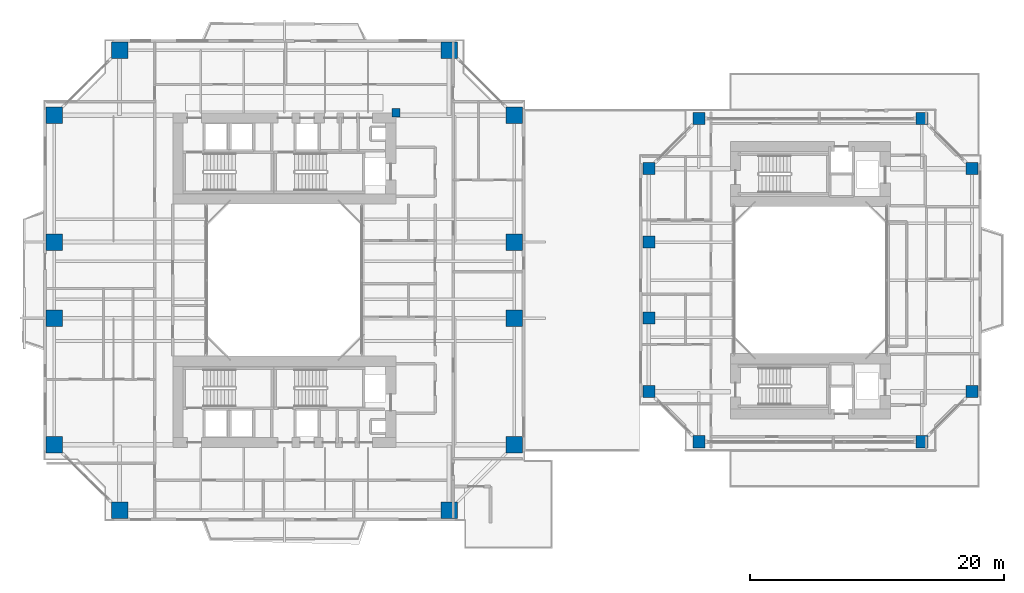
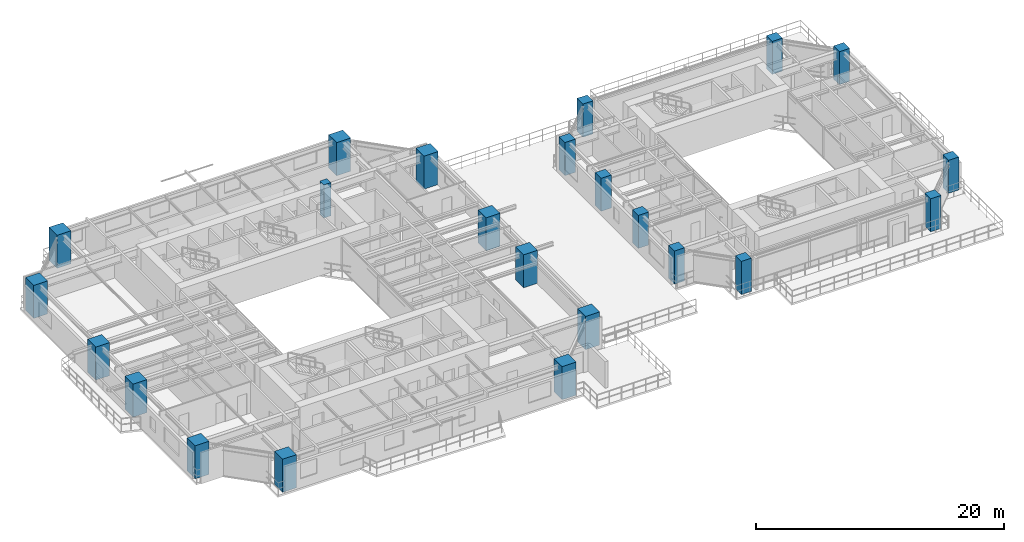
# One storey, part 1 of 22: 23 columns.
"""IFC4 building model written with IfcOpenShell, lengths in metres."""

import ifcopenshell
import ifcopenshell.guid

model = None  # the IFC model being written
_history = None  # IfcOwnerHistory: only IFC2X3 demands one
_inside = {}  # id of a spatial element -> (the spatial element, [elements in it])
_under = {}  # id of a project, library or spatial element -> (it, [spatial elements below it])
_declared = {}  # id of a project -> (the project, [libraries it declares])
_typed = {}  # id of a type object -> (the type object, [elements of that type])
_made_of = {}  # id of a material, layer set ... -> (it, [elements and type objects made of it])


def new_model(schema):
    """Start an empty IFC model of exactly this schema.

    Asked for "IFC4X3", IfcOpenShell would pick the latest addendum, in which some entities
    have other attributes; the version numbers below select the first issue.
    IFC2X3 requires an IfcOwnerHistory on every rooted entity: one is made here for all.
    """
    global model, _history
    if schema == "IFC4X3":
        model = ifcopenshell.file(schema_version=(4, 3, 0, 0))
    else:
        model = ifcopenshell.file(schema=schema)
    _inside.clear()
    _under.clear()
    _declared.clear()
    _typed.clear()
    _made_of.clear()
    _history = None
    if model.schema == "IFC2X3":
        org = make("IfcOrganization", Name="unknown")
        user = make(
            "IfcPersonAndOrganization",
            ThePerson=make("IfcPerson", FamilyName="unknown"),
            TheOrganization=org,
        )
        app = make(
            "IfcApplication",
            ApplicationDeveloper=org,
            Version="unknown",
            ApplicationFullName="unknown",
            ApplicationIdentifier="unknown",
        )
        _history = make(
            "IfcOwnerHistory",
            OwningUser=user,
            OwningApplication=app,
            ChangeAction="ADDED",
            CreationDate=0,
        )
    return model


def make(cls, **values):
    """One entity of the class cls with the attributes given. An attribute that is None is left unset."""
    return model.create_entity(
        cls, **{name: value for name, value in values.items() if value is not None}
    )


def rooted(cls, **values):
    """An entity with a GlobalId (a new one), such as an element, a storey or a relation."""
    return make(cls, GlobalId=ifcopenshell.guid.new(), OwnerHistory=_history, **values)


def si_unit(unit_type, name, prefix=None):
    """IfcSIUnit, for example si_unit("LENGTHUNIT", "METRE", prefix="MILLI")."""
    return make("IfcSIUnit", UnitType=unit_type, Prefix=prefix, Name=name)


def assignment(units):
    """IfcUnitAssignment: the units of a project."""
    return None if units is None else make("IfcUnitAssignment", Units=units)


def point(xyz):
    """IfcCartesianPoint."""
    return None if xyz is None else make("IfcCartesianPoint", Coordinates=xyz)


def direction(xyz):
    """IfcDirection."""
    return None if xyz is None else make("IfcDirection", DirectionRatios=xyz)


def frame(location, z_axis=None, x_axis=None):
    """IfcAxis2Placement3D, a coordinate frame: its origin and axes. An axis left out is left unset."""
    return make(
        "IfcAxis2Placement3D",
        Location=point(location),
        Axis=direction(z_axis),
        RefDirection=direction(x_axis),
    )


def frame_2d(location, x_axis=None):
    """IfcAxis2Placement2D, a coordinate frame in the plane: its origin and x axis."""
    return make(
        "IfcAxis2Placement2D", Location=point(location), RefDirection=direction(x_axis)
    )


def origin():
    """The frame at (0, 0, 0) with its axes left unset."""
    return frame((0.0, 0.0, 0.0))


def origin_2d():
    """The frame at (0, 0) in the plane with its x axis left unset."""
    return frame_2d((0.0, 0.0))


def place(relative_to, where):
    """IfcLocalPlacement: puts the frame where relative to a parent placement (None: the world)."""
    return make(
        "IfcLocalPlacement", PlacementRelTo=relative_to, RelativePlacement=where
    )


def context(
    kind, dimensions, precision=None, world=None, true_north=None, identifier=None
):
    """IfcGeometricRepresentationContext, for example the 3D "Model" context."""
    return make(
        "IfcGeometricRepresentationContext",
        ContextIdentifier=identifier,
        ContextType=kind,
        CoordinateSpaceDimension=dimensions,
        Precision=precision,
        WorldCoordinateSystem=world,
        TrueNorth=true_north,
    )


def subcontext(parent, identifier, kind, view, scale=None):
    """IfcGeometricRepresentationSubContext, for example "Body" below "Model"."""
    return make(
        "IfcGeometricRepresentationSubContext",
        ContextIdentifier=identifier,
        ContextType=kind,
        ParentContext=parent,
        TargetScale=scale,
        TargetView=view,
    )


def project(units=None, contexts=None):
    """IfcProject with its units and contexts."""
    return rooted(
        "IfcProject",
        Name="project",
        RepresentationContexts=contexts,
        UnitsInContext=assignment(units),
    )


def spatial(cls, under=None, at=None, **own):
    """A site, building, storey or space (cls), placed at a placement, below another one or the project."""
    s = rooted(cls, ObjectPlacement=at, **own)
    if under is not None:
        _under.setdefault(under.id(), (under, []))[1].append(s)
    return s


def profile(cls, at=None, kind="AREA", **sizes):
    """A parametric profile (cls). Its sizes go by their IFC names, for example OverallWidth=200.0."""
    return make(cls, ProfileType=kind, Position=at, **sizes)


def rectangle(**sizes):
    """IfcRectangleProfileDef."""
    return profile("IfcRectangleProfileDef", **sizes)


def extrude(swept, where, along, depth):
    """IfcExtrudedAreaSolid: the profile swept, set in the frame where, extruded along a direction by depth."""
    return make(
        "IfcExtrudedAreaSolid",
        SweptArea=swept,
        Position=where,
        ExtrudedDirection=direction(along),
        Depth=depth,
    )


def shape(context_of_items, identifier, shape_type, items):
    """IfcShapeRepresentation: the items that make up one representation, for example the "Body"."""
    return make(
        "IfcShapeRepresentation",
        ContextOfItems=context_of_items,
        RepresentationIdentifier=identifier,
        RepresentationType=shape_type,
        Items=items,
    )


def source(mapping_origin, context_of_items, identifier, shape_type, items):
    """IfcRepresentationMap: a shape defined once, which mapped items show again and again."""
    return make(
        "IfcRepresentationMap",
        MappingOrigin=mapping_origin,
        MappedRepresentation=shape(context_of_items, identifier, shape_type, items),
    )


def transform(
    local_origin,
    x_axis=None,
    y_axis=None,
    z_axis=None,
    scale=None,
    scale2=None,
    scale3=None,
    uniform=True,
):
    """IfcCartesianTransformationOperator3D, or its non-uniform kind. x_axis, y_axis, z_axis: its Axis1, 2, 3."""
    if uniform:
        return make(
            "IfcCartesianTransformationOperator3D",
            Axis1=direction(x_axis),
            Axis2=direction(y_axis),
            LocalOrigin=point(local_origin),
            Scale=scale,
            Axis3=direction(z_axis),
        )
    return make(
        "IfcCartesianTransformationOperator3DnonUniform",
        Axis1=direction(x_axis),
        Axis2=direction(y_axis),
        LocalOrigin=point(local_origin),
        Scale=scale,
        Axis3=direction(z_axis),
        Scale2=scale2,
        Scale3=scale3,
    )


def mapped(mapping_source, mapping_target):
    """IfcMappedItem: shows the shape of a source again, moved by a transform."""
    return make(
        "IfcMappedItem", MappingSource=mapping_source, MappingTarget=mapping_target
    )


def material(Name=None, Category=None):
    """IfcMaterial."""
    return make("IfcMaterial", Name=Name, Category=Category)


def material_profile(
    of_material, cross_section, Name=None, Category=None, Priority=None
):
    """IfcMaterialProfile: a cross section and its material."""
    return make(
        "IfcMaterialProfile",
        Name=Name,
        Material=of_material,
        Profile=cross_section,
        Priority=Priority,
        Category=Category,
    )


def profile_set(profiles, Name=None, composite=None):
    """IfcMaterialProfileSet."""
    return make(
        "IfcMaterialProfileSet",
        Name=Name,
        MaterialProfiles=profiles,
        CompositeProfile=composite,
    )


def made_of(thing, what):
    """Note that an element or type object is made of a material, layer set ...; save() writes the relation."""
    if what is not None:
        _made_of.setdefault(what.id(), (what, []))[1].append(thing)
    return thing


def type_object(cls, material=None, **own):
    """A type object (cls), such as IfcWallType, which elements share."""
    return made_of(rooted(cls, **own), material)


def element(
    cls,
    number,
    at=None,
    inside=None,
    cuts=None,
    type_object=None,
    material=None,
    context=None,
    identifier="Body",
    shape_type=None,
    held_by="IfcProductDefinitionShape",
    body=None,
    shapes=None,
    **own,
):
    """One element of the class cls, such as IfcWall. Its Tag is "e" and its number.

    at: its placement. inside: the storey or other place that contains it. cuts: it is an
    opening in that element (IfcRelVoidsElement). A single representation is given by context,
    identifier, shape_type and body (its items); several are given by shapes. held_by: the class
    of the entity that holds the representations. save() writes the other relations.
    """
    e = rooted(cls, Tag="e%d" % number, ObjectPlacement=at, **own)
    if body is not None:
        shapes = [shape(context, identifier, shape_type, body)]
    if shapes is not None:
        e.Representation = make(held_by, Representations=shapes)
    if inside is not None:
        _inside.setdefault(inside.id(), (inside, []))[1].append(e)
    if cuts is not None:
        rooted(
            "IfcRelVoidsElement", RelatingBuildingElement=cuts, RelatedOpeningElement=e
        )
    if type_object is not None:
        _typed.setdefault(type_object.id(), (type_object, []))[1].append(e)
    return made_of(e, material)


def aggregate(whole, parts):
    """IfcRelAggregates: a whole, such as a stair, and the parts it consists of."""
    return rooted("IfcRelAggregates", RelatingObject=whole, RelatedObjects=parts)


def save(model, path):
    """Write the relations noted so far, then the file.

    IfcRelAggregates (storeys below a building ...), IfcRelContainedInSpatialStructure (elements
    in a storey), IfcRelDefinesByType, IfcRelAssociatesMaterial and IfcRelDeclares: one each for
    every whole, place, type object, material and project.
    """
    for whole, parts in _under.values():
        aggregate(whole, parts)
    for where, things in _inside.values():
        rooted(
            "IfcRelContainedInSpatialStructure",
            RelatedElements=things,
            RelatingStructure=where,
        )
    for kind, things in _typed.values():
        rooted("IfcRelDefinesByType", RelatedObjects=things, RelatingType=kind)
    for what, things in _made_of.values():
        rooted("IfcRelAssociatesMaterial", RelatedObjects=things, RelatingMaterial=what)
    for by, libraries in _declared.values():
        rooted("IfcRelDeclares", RelatingContext=by, RelatedDefinitions=libraries)
    model.write(path)


model = new_model("IFC4")

# Units and contexts
model_context = context("Model", 3, precision=1e-05, world=origin(), true_north=direction((0.0, 1.0)))
body_context = subcontext(model_context, "Body", "Model", "MODEL_VIEW")
ifc_project = project(units=[si_unit("LENGTHUNIT", "METRE"), si_unit("AREAUNIT", "SQUARE_METRE"), si_unit("VOLUMEUNIT", "CUBIC_METRE"), si_unit("PLANEANGLEUNIT", "RADIAN"), si_unit("MASSUNIT", "GRAM", prefix="KILO"), si_unit("THERMODYNAMICTEMPERATUREUNIT", "KELVIN"), si_unit("POWERUNIT", "WATT")], contexts=[model_context])

# Site, building, storey
site_placement = place(None, origin())
site = spatial("IfcSite", under=ifc_project, at=site_placement, CompositionType="ELEMENT")
building_placement = place(site_placement, origin())
building = spatial("IfcBuilding", under=site, at=building_placement, Name="Qiaomeng Ring Towers", CompositionType="ELEMENT")
storey_placement = place(building_placement, frame((0.0, 0.0, 23.0)))
storey = spatial("IfcBuildingStorey", under=building, at=storey_placement, Name="L05", CompositionType="ELEMENT", Elevation=23.0)

# Columns
ifc_material_1 = material(Name="Concrete C50", Category="concrete")
ifc_material_profile_1 = material_profile(ifc_material_1, rectangle(XDim=0.64990234375, YDim=0.64990234375, at=origin_2d()), Name="RC COL 650x650")
ifc_profile_set_1 = profile_set([ifc_material_profile_1], Name="Concrete C50")
column_type_1 = type_object("IfcColumnType", Name="STR-PIL-650", PredefinedType="PILASTER", material=ifc_profile_set_1)
shared_shape_1 = source(origin(), body_context, "Body", "SweptSolid", [
    extrude(rectangle(XDim=0.64990234375, YDim=0.64990234375, at=origin_2d()), origin(), (0.0, 0.0, 1.0), 3.25),
])
column_placement = place(storey_placement, frame((27.800048828125, 36.199951171875, 0.0), z_axis=(0.0, 0.0, 1.0), x_axis=(1.0, 0.0, 0.0)))
element("IfcColumn", 1, at=column_placement, inside=storey, type_object=column_type_1, Name="L05 column STR-PIL-L05-N", PredefinedType="PILASTER", context=body_context, shape_type="MappedRepresentation", body=[
    mapped(shared_shape_1, transform((0.0, 0.0, 0.0), x_axis=(1.0, 0.0, 0.0), y_axis=(0.0, 1.0, 0.0), z_axis=(0.0, 0.0, 1.0), scale=1.0)),
])
ifc_material_2 = material(Name="Concrete C60", Category="concrete")
ifc_material_profile_2 = material_profile(ifc_material_2, rectangle(XDim=1.300048828125, YDim=1.300048828125, at=origin_2d()), Name="RC COL 1300x1300")
ifc_profile_set_2 = profile_set([ifc_material_profile_2], Name="Concrete C60")
column_type_2 = type_object("IfcColumnType", Name="STR-COL-1300", PredefinedType="COLUMN", material=ifc_profile_set_2)
shared_shape_2 = source(origin(), body_context, "Body", "SweptSolid", [
    extrude(rectangle(XDim=1.300048828125, YDim=1.300048828125, at=origin_2d()), origin(), (0.0, 0.0, 1.0), 3.25),
])
for number, where, z_axis, x_axis, name in (
    (2, (6.0, 4.85009765625, 0.0), (0.0, 0.0, 1.0), (1.0, 0.0, 0.0), "L05 column STR-COL-L05-T1-S1"),
    (3, (32.0, 4.85009765625, 0.0), (0.0, 0.0, 1.0), (1.0, 0.0, 0.0), "L05 column STR-COL-L05-T1-S2"),
    (4, (37.14990234375, 10.0, 0.0), (0.0, 0.0, 1.0), (1.0, 0.0, 0.0), "L05 column STR-COL-L05-T1-E1"),
    (5, (37.14990234375, 20.0, 0.0), (0.0, 0.0, 1.0), (1.0, 0.0, 0.0), "L05 column STR-COL-L05-T1-E2"),
    (6, (37.14990234375, 26.0, 0.0), (0.0, 0.0, 1.0), (1.0, 0.0, 0.0), "L05 column STR-COL-L05-T1-E3"),
    (7, (37.14990234375, 36.0, 0.0), (0.0, 0.0, 1.0), (1.0, 0.0, 0.0), "L05 column STR-COL-L05-T1-E4"),
    (8, (32.0, 41.14990234375, 0.0), (0.0, 0.0, 1.0), (1.0, 0.0, 0.0), "L05 column STR-COL-L05-T1-N2"),
    (9, (6.0, 41.14990234375, 0.0), (0.0, 0.0, 1.0), (1.0, 0.0, 0.0), "L05 column STR-COL-L05-T1-N1"),
    (10, (0.85009765625, 36.0, 0.0), (0.0, 0.0, 1.0), (1.0, 0.0, 0.0), "L05 column STR-COL-L05-T1-W4"),
    (11, (0.85009765625, 26.0, 0.0), (0.0, 0.0, 1.0), (1.0, 0.0, 0.0), "L05 column STR-COL-L05-T1-W3"),
    (12, (0.85009765625, 20.0, 0.0), (0.0, 0.0, 1.0), (1.0, 0.0, 0.0), "L05 column STR-COL-L05-T1-W2"),
    (13, (0.85009765625, 10.0, 0.0), (0.0, 0.0, 1.0), (1.0, 0.0, 0.0), "L05 column STR-COL-L05-T1-W1"),
):
    element("IfcColumn", number, at=place(storey_placement, frame(where, z_axis=z_axis, x_axis=x_axis)), inside=storey, type_object=column_type_2, Name=name, PredefinedType="COLUMN", context=body_context, shape_type="MappedRepresentation", body=[
        mapped(shared_shape_2, transform((0.0, 0.0, 0.0), x_axis=(1.0, 0.0, 0.0), y_axis=(0.0, 1.0, 0.0), z_axis=(0.0, 0.0, 1.0), scale=1.0)),
    ])
ifc_material_profile_3 = material_profile(ifc_material_2, rectangle(XDim=0.949951171875, YDim=0.949951171875, at=origin_2d()), Name="RC COL 950x950")
ifc_profile_set_3 = profile_set([ifc_material_profile_3], Name="Concrete C60")
column_type_3 = type_object("IfcColumnType", Name="STR-COL-950-C60", PredefinedType="COLUMN", material=ifc_profile_set_3)
shared_shape_3 = source(origin(), body_context, "Body", "SweptSolid", [
    extrude(rectangle(XDim=0.949951171875, YDim=0.949951171875, at=origin_2d()), origin(), (0.0, 0.0, 1.0), 3.25),
])
for number, where, z_axis, x_axis, name in (
    (14, (51.699951171875, 10.25, 0.0), (0.0, 0.0, 1.0), (1.0, 0.0, 0.0), "L05 column STR-COL-L05-T2-S1"),
    (15, (69.300048828125, 10.25, 0.0), (0.0, 0.0, 1.0), (1.0, 0.0, 0.0), "L05 column STR-COL-L05-T2-S2"),
    (16, (73.25, 14.199951171875, 0.0), (0.0, 0.0, 1.0), (1.0, 0.0, 0.0), "L05 column STR-COL-L05-T2-E1"),
    (17, (73.25, 31.800048828125, 0.0), (0.0, 0.0, 1.0), (1.0, 0.0, 0.0), "L05 column STR-COL-L05-T2-E2"),
    (18, (69.300048828125, 35.75, 0.0), (0.0, 0.0, 1.0), (1.0, 0.0, 0.0), "L05 column STR-COL-L05-T2-N2"),
    (19, (51.699951171875, 35.75, 0.0), (0.0, 0.0, 1.0), (1.0, 0.0, 0.0), "L05 column STR-COL-L05-T2-N1"),
    (20, (47.75, 14.199951171875, 0.0), (0.0, 0.0, 1.0), (1.0, 0.0, 0.0), "L05 column STR-COL-L05-T2-W1"),
    (21, (47.75, 20.0, 0.0), (0.0, 0.0, 1.0), (1.0, 0.0, 0.0), "L05 column STR-COL-L05-T2-W2"),
    (22, (47.75, 26.0, 0.0), (0.0, 0.0, 1.0), (1.0, 0.0, 0.0), "L05 column STR-COL-L05-T2-W3"),
    (23, (47.75, 31.800048828125, 0.0), (0.0, 0.0, 1.0), (1.0, 0.0, 0.0), "L05 column STR-COL-L05-T2-W4"),
):
    element("IfcColumn", number, at=place(storey_placement, frame(where, z_axis=z_axis, x_axis=x_axis)), inside=storey, type_object=column_type_3, Name=name, PredefinedType="COLUMN", context=body_context, shape_type="MappedRepresentation", body=[
        mapped(shared_shape_3, transform((0.0, 0.0, 0.0), x_axis=(1.0, 0.0, 0.0), y_axis=(0.0, 1.0, 0.0), z_axis=(0.0, 0.0, 1.0), scale=1.0)),
    ])

save(model, "model.ifc")
